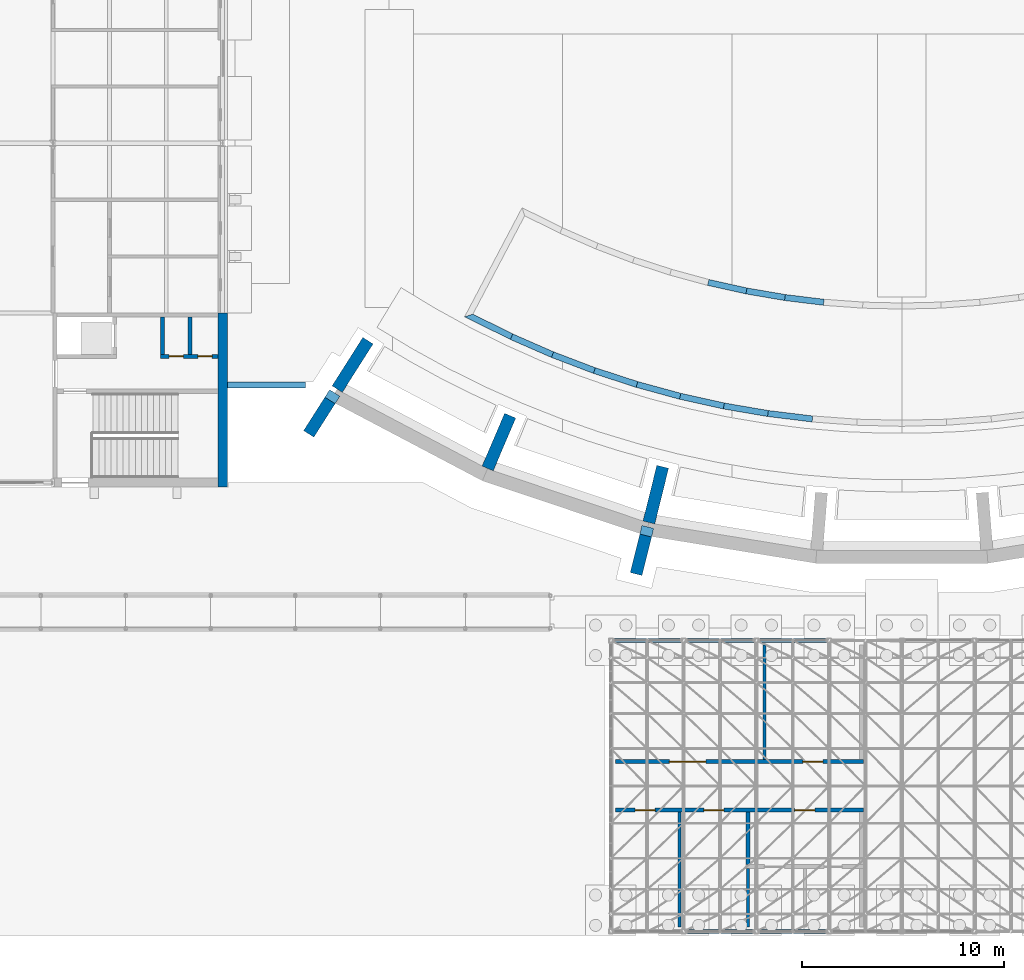
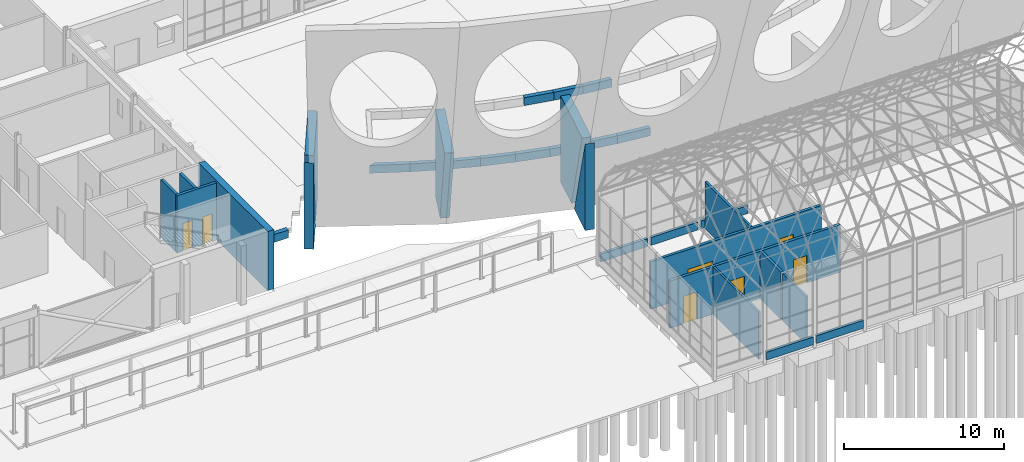
# One storey, part 83 of 116: 32 walls, 7 doors, 7 openings.
"""IFC4 building model written with IfcOpenShell, lengths in metres."""

from ifc_helpers import new_model, si_unit, direction, frame, frame_2d, origin, place, context, subcontext, project, spatial, polyline, rectangle, outline, extrude, material, layer, layer_set, type_object, element, fill, save


model = new_model("IFC4")

# Units and contexts
model_context = context("Model", 3, precision=1e-05, world=origin(), true_north=direction((0.0, 1.0)))
body_context = subcontext(model_context, "Body", "Model", "MODEL_VIEW")
ifc_project = project(units=[si_unit("LENGTHUNIT", "METRE"), si_unit("AREAUNIT", "SQUARE_METRE"), si_unit("VOLUMEUNIT", "CUBIC_METRE"), si_unit("PLANEANGLEUNIT", "RADIAN"), si_unit("MASSUNIT", "GRAM", prefix="KILO")], contexts=[model_context])

# Site, building, storey
site_placement = place(None, origin())
site = spatial("IfcSite", under=ifc_project, at=site_placement, CompositionType="ELEMENT")
building_placement = place(site_placement, origin())
building = spatial("IfcBuilding", under=site, at=building_placement, Name="Ardhachandra Cancer Care Centre", CompositionType="ELEMENT")
storey_placement = place(building_placement, origin())
storey = spatial("IfcBuildingStorey", under=building, at=storey_placement, Name="L00", CompositionType="ELEMENT", Elevation=0.0)

# Walls
ifc_material_1 = material(Name="Concrete M40", Category="concrete")
ifc_layer_1 = layer(ifc_material_1, 0.60009765625)
ifc_layer_set_1 = layer_set([ifc_layer_1], Name="Concrete M40")
wall_type_1 = type_object("IfcWallType", Name="Buttress fin 600", PredefinedType="STANDARD", material=ifc_layer_set_1)
for number, where, z_axis, x_axis, name in (
    (1, (49.942626953125, 33.8388671875, 0.0), (0.0, 0.0, 1.0), (-0.536302707516, -0.84402571401, 0.0), "Buttress fin 1"),
    (2, (65.4326171875, 27.21142578125, 0.0), (0.0, 0.0, 1.0), (-0.240189097283, -0.97072611871, 0.0), "Buttress fin 2"),
):
    element("IfcWall", number, at=place(storey_placement, frame(where, z_axis=z_axis, x_axis=x_axis)), inside=storey, type_object=wall_type_1, Name=name, PredefinedType="STANDARD", context=body_context, shape_type="SweptSolid", body=[
        extrude(outline(polyline([(0.0, 0.0), (2.39990234375, 0.0), (2.39990234375, 6.572509765625), (0.0, 0.0)])), frame((0.0, 0.300048828125, 0.0), z_axis=(0.0, -1.0, 0.0), x_axis=(1.0, 0.0, 0.0)), (0.0, 0.0, 1.0), 0.60009765625),
    ])

# Wall, openings, doors
ifc_material_2 = material(Name="Gypsum board corridor partition on steel studs", Category="steel")
ifc_layer_2 = layer(ifc_material_2, 0.199951171875)
ifc_layer_set_2 = layer_set([ifc_layer_2], Name="Gypsum board corridor partition on steel studs")
wall_type_2 = type_object("IfcWallType", Name="CORRIDOR WALL 200", PredefinedType="PARTITIONING", material=ifc_layer_set_2)
wall_1_placement = place(storey_placement, frame((63.824951171875, 13.199951171875, 0.0), z_axis=(0.0, 0.0, 1.0), x_axis=(1.0, 0.0, 0.0)))
wall_1 = element("IfcWall", 3, at=wall_1_placement, inside=storey, type_object=wall_type_2, Name="R/wall/L00/h0013200_0063825", PredefinedType="PARTITIONING", context=body_context, shape_type="SweptSolid", body=[
    extrude(rectangle(XDim=12.275146484375, YDim=0.199951171875, at=frame_2d((6.1376953125, 0.0))), origin(), (0.0, 0.0, 1.0), 3.60009765625),
])
opening_1_placement = place(wall_1_placement, frame((0.97509765625, 0.0, 0.0)))
opening_1 = element("IfcOpeningElement", 4, at=opening_1_placement, cuts=wall_1, Name="Opening L00-0003", PredefinedType="OPENING", context=body_context, shape_type="SweptSolid", body=[
    extrude(rectangle(XDim=1.0, YDim=2.10009765625, at=frame_2d((0.5, 1.050048828125))), frame((0.0, 0.10986328125, 0.0), z_axis=(0.0, -1.0, 0.0), x_axis=(1.0, 0.0, 0.0)), (0.0, 0.0, 1.0), 0.219970703125),
])
opening_2_placement = place(wall_1_placement, frame((4.375, 0.0, 0.0)))
opening_2 = element("IfcOpeningElement", 5, at=opening_2_placement, cuts=wall_1, Name="Opening L00-0004", PredefinedType="OPENING", context=body_context, shape_type="SweptSolid", body=[
    extrude(rectangle(XDim=1.0, YDim=2.10009765625, at=frame_2d((0.5, 1.050048828125))), frame((0.0, 0.10986328125, 0.0), z_axis=(0.0, -1.0, 0.0), x_axis=(1.0, 0.0, 0.0)), (0.0, 0.0, 1.0), 0.219970703125),
])
opening_3_placement = place(wall_1_placement, frame((8.875, 0.0, 0.0)))
opening_3 = element("IfcOpeningElement", 6, at=opening_3_placement, cuts=wall_1, Name="Opening L00-0005", PredefinedType="OPENING", context=body_context, shape_type="SweptSolid", body=[
    extrude(rectangle(XDim=1.0, YDim=2.10009765625, at=frame_2d((0.5, 1.050048828125))), frame((0.0, 0.10986328125, 0.0), z_axis=(0.0, -1.0, 0.0), x_axis=(1.0, 0.0, 0.0)), (0.0, 0.0, 1.0), 0.219970703125),
])
ifc_material_3 = material(Name="Timber fire door with smoke seals", Category="wood")
door_type_1 = type_object("IfcDoorType", Name="FIRE DOOR SINGLE 1000x2100 FD30S", OperationType="NOTDEFINED", PredefinedType="DOOR", material=ifc_material_3)
door_1_placement = place(opening_1_placement, origin())
door_1 = element("IfcDoor", 7, at=door_1_placement, inside=storey, type_object=door_type_1, Name="Door L00-0003", OperationType="SINGLE_SWING_LEFT", OverallHeight=2.10009765625, OverallWidth=1.0, PredefinedType="DOOR", context=body_context, shape_type="SweptSolid", body=[
    extrude(rectangle(XDim=1.0, YDim=2.10009765625, at=frame_2d((0.5, 1.050048828125))), frame((0.0, 0.02490234375, 0.0), z_axis=(0.0, -1.0, 0.0), x_axis=(1.0, 0.0, 0.0)), (0.0, 0.0, 1.0), 0.050048828125),
])
fill(opening_1, door_1)
door_2_placement = place(opening_2_placement, origin())
door_2 = element("IfcDoor", 8, at=door_2_placement, inside=storey, type_object=door_type_1, Name="Door L00-0004", OperationType="SINGLE_SWING_LEFT", OverallHeight=2.10009765625, OverallWidth=1.0, PredefinedType="DOOR", context=body_context, shape_type="SweptSolid", body=[
    extrude(rectangle(XDim=1.0, YDim=2.10009765625, at=frame_2d((0.5, 1.050048828125))), frame((0.0, 0.02490234375, 0.0), z_axis=(0.0, -1.0, 0.0), x_axis=(1.0, 0.0, 0.0)), (0.0, 0.0, 1.0), 0.050048828125),
])
fill(opening_2, door_2)
door_3_placement = place(opening_3_placement, origin())
door_3 = element("IfcDoor", 9, at=door_3_placement, inside=storey, type_object=door_type_1, Name="Door L00-0005", OperationType="SINGLE_SWING_LEFT", OverallHeight=2.10009765625, OverallWidth=1.0, PredefinedType="DOOR", context=body_context, shape_type="SweptSolid", body=[
    extrude(rectangle(XDim=1.0, YDim=2.10009765625, at=frame_2d((0.5, 1.050048828125))), frame((0.0, 0.02490234375, 0.0), z_axis=(0.0, -1.0, 0.0), x_axis=(1.0, 0.0, 0.0)), (0.0, 0.0, 1.0), 0.050048828125),
])
fill(opening_3, door_3)

wall_2_placement = place(storey_placement, frame((63.824951171875, 15.60009765625, 0.0), z_axis=(0.0, 0.0, 1.0), x_axis=(1.0, 0.0, 0.0)))
wall_2 = element("IfcWall", 10, at=wall_2_placement, inside=storey, type_object=wall_type_2, Name="R/wall/L00/h0015600_0063825", PredefinedType="PARTITIONING", context=body_context, shape_type="SweptSolid", body=[
    extrude(rectangle(XDim=12.275146484375, YDim=0.199951171875, at=frame_2d((6.1376953125, 0.0))), origin(), (0.0, 0.0, 1.0), 3.60009765625),
])
opening_4_placement = place(wall_2_placement, frame((2.675048828125, 0.0, 0.0)))
opening_4 = element("IfcOpeningElement", 11, at=opening_4_placement, cuts=wall_2, Name="Opening L00-0006", PredefinedType="OPENING", context=body_context, shape_type="SweptSolid", body=[
    extrude(rectangle(XDim=1.800048828125, YDim=2.10009765625, at=frame_2d((0.89990234375, 1.050048828125))), frame((0.0, 0.10986328125, 0.0), z_axis=(0.0, -1.0, 0.0), x_axis=(1.0, 0.0, 0.0)), (0.0, 0.0, 1.0), 0.219970703125),
])
opening_5_placement = place(wall_2_placement, frame((9.27490234375, 0.0, 0.0)))
opening_5 = element("IfcOpeningElement", 12, at=opening_5_placement, cuts=wall_2, Name="Opening L00-0007", PredefinedType="OPENING", context=body_context, shape_type="SweptSolid", body=[
    extrude(rectangle(XDim=1.0, YDim=2.10009765625, at=frame_2d((0.5, 1.050048828125))), frame((0.0, 0.10986328125, 0.0), z_axis=(0.0, -1.0, 0.0), x_axis=(1.0, 0.0, 0.0)), (0.0, 0.0, 1.0), 0.219970703125),
])
ifc_material_4 = material(Name="Timber fire door with smoke seals", Category="wood")
door_type_2 = type_object("IfcDoorType", Name="FIRE DOOR DOUBLE 1800x2100 FD30S", OperationType="NOTDEFINED", PredefinedType="DOOR", material=ifc_material_4)
door_4_placement = place(opening_4_placement, origin())
door_4 = element("IfcDoor", 13, at=door_4_placement, inside=storey, type_object=door_type_2, Name="Door L00-0006", OperationType="DOUBLE_DOOR_SINGLE_SWING", OverallHeight=2.10009765625, OverallWidth=1.800048828125, PredefinedType="DOOR", context=body_context, shape_type="SweptSolid", body=[
    extrude(rectangle(XDim=1.800048828125, YDim=2.10009765625, at=frame_2d((0.89990234375, 1.050048828125))), frame((0.0, 0.02490234375, 0.0), z_axis=(0.0, -1.0, 0.0), x_axis=(1.0, 0.0, 0.0)), (0.0, 0.0, 1.0), 0.050048828125),
])
fill(opening_4, door_4)
door_5_placement = place(opening_5_placement, origin())
door_5 = element("IfcDoor", 14, at=door_5_placement, inside=storey, type_object=door_type_1, Name="Door L00-0007", OperationType="SINGLE_SWING_RIGHT", OverallHeight=2.10009765625, OverallWidth=1.0, PredefinedType="DOOR", context=body_context, shape_type="SweptSolid", body=[
    extrude(rectangle(XDim=1.0, YDim=2.10009765625, at=frame_2d((0.5, 1.050048828125))), frame((0.0, 0.02490234375, 0.0), z_axis=(0.0, -1.0, 0.0), x_axis=(1.0, 0.0, 0.0)), (0.0, 0.0, 1.0), 0.050048828125),
])
fill(opening_5, door_5)

# Walls
wall_3_placement = place(storey_placement, frame((70.39990234375, 10.5, 0.0), z_axis=(0.0, 0.0, 1.0), x_axis=(0.0, 1.0, 0.0)))
element("IfcWall", 15, at=wall_3_placement, inside=storey, type_object=wall_type_2, Name="R/wall/L00/v0070400_0010500", PredefinedType="PARTITIONING", context=body_context, shape_type="SweptSolid", body=[
    extrude(rectangle(XDim=2.60009765625, YDim=0.199951171875, at=frame_2d((1.300048828125, 0.0))), origin(), (0.0, 0.0, 1.0), 3.60009765625),
])
ifc_material_5 = material(Name="Concrete M40", Category="concrete")
ifc_layer_3 = layer(ifc_material_5, 0.449951171875)
ifc_layer_set_3 = layer_set([ifc_layer_3], Name="Concrete M40")
wall_type_3 = type_object("IfcWallType", Name="Core exterior wall RC 450", PredefinedType="SOLIDWALL", material=ifc_layer_set_3)
wall_4_placement = place(storey_placement, frame((44.39990234375, 29.175048828125, 0.0), z_axis=(0.0, 0.0, 1.0), x_axis=(0.0, 1.0, 0.0)))
element("IfcWall", 16, at=wall_4_placement, inside=storey, type_object=wall_type_3, Name="Core wall K2 FAR", PredefinedType="SOLIDWALL", context=body_context, shape_type="SweptSolid", body=[
    extrude(rectangle(XDim=8.625, YDim=0.449951171875, at=frame_2d((4.3125, 0.0))), origin(), (0.0, 0.0, 1.0), 4.5),
])

# Wall, openings, doors
ifc_material_6 = material(Name="Concrete M40", Category="concrete")
ifc_layer_4 = layer(ifc_material_6, 0.199951171875)
ifc_layer_set_4 = layer_set([ifc_layer_4], Name="Concrete M40")
wall_type_4 = type_object("IfcWallType", Name="Core wall RC 200", PredefinedType="SOLIDWALL", material=ifc_layer_set_4)
wall_5_placement = place(storey_placement, frame((41.324951171875, 35.64990234375, 0.0), z_axis=(0.0, 0.0, 1.0), x_axis=(1.0, 0.0, 0.0)))
wall_5 = element("IfcWall", 17, at=wall_5_placement, inside=storey, type_object=wall_type_4, Name="Core wall K2 P2B", PredefinedType="SOLIDWALL", context=body_context, shape_type="SweptSolid", body=[
    extrude(rectangle(XDim=2.85009765625, YDim=0.199951171875, at=frame_2d((1.425048828125, 0.0))), origin(), (0.0, 0.0, 1.0), 4.35009765625),
])
opening_6_placement = place(wall_5_placement, frame((0.425048828125, 0.0, 0.0)))
opening_6 = element("IfcOpeningElement", 18, at=opening_6_placement, cuts=wall_5, Name="Opening L00-K02-4", PredefinedType="OPENING", context=body_context, shape_type="SweptSolid", body=[
    extrude(rectangle(XDim=0.699951171875, YDim=2.10009765625, at=frame_2d((0.35009765625, 1.050048828125))), frame((0.0, 0.10986328125, 0.0), z_axis=(0.0, -1.0, 0.0), x_axis=(1.0, 0.0, 0.0)), (0.0, 0.0, 1.0), 0.219970703125),
])
opening_7_placement = place(wall_5_placement, frame((1.85009765625, 0.0, 0.0)))
opening_7 = element("IfcOpeningElement", 19, at=opening_7_placement, cuts=wall_5, Name="Opening L00-K02-5", PredefinedType="OPENING", context=body_context, shape_type="SweptSolid", body=[
    extrude(rectangle(XDim=0.699951171875, YDim=2.10009765625, at=frame_2d((0.35009765625, 1.050048828125))), frame((0.0, 0.10986328125, 0.0), z_axis=(0.0, -1.0, 0.0), x_axis=(1.0, 0.0, 0.0)), (0.0, 0.0, 1.0), 0.219970703125),
])
ifc_material_7 = material(Name="Steel door set", Category="steel")
door_type_3 = type_object("IfcDoorType", Name="Riser access door 700x2100 FD120S", OperationType="NOTDEFINED", PredefinedType="DOOR", material=ifc_material_7)
door_6_placement = place(opening_6_placement, origin())
door_6 = element("IfcDoor", 20, at=door_6_placement, inside=storey, type_object=door_type_3, Name="Riser access door", OperationType="SINGLE_SWING_RIGHT", OverallHeight=2.10009765625, OverallWidth=0.699951171875, PredefinedType="DOOR", context=body_context, shape_type="SweptSolid", body=[
    extrude(rectangle(XDim=0.699951171875, YDim=2.10009765625, at=frame_2d((0.35009765625, 1.050048828125))), frame((0.0, 0.02490234375, 0.0), z_axis=(0.0, -1.0, 0.0), x_axis=(1.0, 0.0, 0.0)), (0.0, 0.0, 1.0), 0.050048828125),
])
fill(opening_6, door_6)
door_7_placement = place(opening_7_placement, origin())
door_7 = element("IfcDoor", 21, at=door_7_placement, inside=storey, type_object=door_type_3, Name="Riser access door", OperationType="SINGLE_SWING_LEFT", OverallHeight=2.10009765625, OverallWidth=0.699951171875, PredefinedType="DOOR", context=body_context, shape_type="SweptSolid", body=[
    extrude(rectangle(XDim=0.699951171875, YDim=2.10009765625, at=frame_2d((0.35009765625, 1.050048828125))), frame((0.0, 0.02490234375, 0.0), z_axis=(0.0, -1.0, 0.0), x_axis=(1.0, 0.0, 0.0)), (0.0, 0.0, 1.0), 0.050048828125),
])
fill(opening_7, door_7)

# Walls
for number, where, z_axis, x_axis, name in (
    (22, (41.425048828125, 35.75, 0.0), (0.0, 0.0, 1.0), (0.0, 1.0, 0.0), "Core wall K2 W2"),
    (23, (42.77490234375, 35.75, 0.0), (0.0, 0.0, 1.0), (0.0, 1.0, 0.0), "Core wall K2 DIV"),
):
    element("IfcWall", number, at=place(storey_placement, frame(where, z_axis=z_axis, x_axis=x_axis)), inside=storey, type_object=wall_type_4, Name=name, PredefinedType="SOLIDWALL", context=body_context, shape_type="SweptSolid", body=[
        extrude(rectangle(XDim=1.85009765625, YDim=0.199951171875, at=frame_2d((0.925048828125, 0.0))), origin(), (0.0, 0.0, 1.0), 4.35009765625),
    ])
ifc_material_8 = material(Name="Concrete M40", Category="concrete")
ifc_layer_5 = layer(ifc_material_8, 0.60009765625)
ifc_layer_set_5 = layer_set([ifc_layer_5], Name="Concrete M40")
wall_type_5 = type_object("IfcWallType", Name="Counterfort rib 600", PredefinedType="STANDARD", material=ifc_layer_set_5)
wall_6_placement = place(storey_placement, frame((48.985107421875, 32.331787109375, 0.0), z_axis=(0.0, 0.0, 1.0), x_axis=(0.536259792521, 0.844052981113, 0.0)))
element("IfcWall", 24, at=wall_6_placement, inside=storey, type_object=wall_type_5, Name="Counterfort rib 1", PredefinedType="STANDARD", context=body_context, shape_type="SweptSolid", body=[
    extrude(outline(polyline([(2.45068359375, 0.0), (4.8505859375, 0.0), (4.8505859375, 6.711181640625), (0.0, 6.711181640625), (2.45068359375, 0.0)])), frame((0.0, 0.300048828125, 0.0), z_axis=(0.0, -1.0, 0.0), x_axis=(1.0, 0.0, 0.0)), (0.0, 0.0, 1.0), 0.60009765625),
])
wall_7_placement = place(storey_placement, frame((56.728271484375, 28.282958984375, 0.0), z_axis=(0.0, 0.0, 1.0), x_axis=(0.39337528095, 0.919377989914, 0.0)))
element("IfcWall", 25, at=wall_7_placement, inside=storey, type_object=wall_type_5, Name="Counterfort rib 2", PredefinedType="STANDARD", context=body_context, shape_type="SweptSolid", body=[
    extrude(outline(polyline([(2.421142578125, 0.0), (4.8212890625, 0.0), (4.8212890625, 6.630615234375), (0.0, 6.630615234375), (2.421142578125, 0.0)])), frame((0.0, 0.300048828125, 0.0), z_axis=(0.0, -1.0, 0.0), x_axis=(1.0, 0.0, 0.0)), (0.0, 0.0, 1.0), 0.60009765625),
])
wall_8_placement = place(storey_placement, frame((65.015625, 25.52587890625, 0.0), z_axis=(0.0, 0.0, 1.0), x_axis=(0.240213793432, 0.97072000775, 0.0)))
element("IfcWall", 26, at=wall_8_placement, inside=storey, type_object=wall_type_5, Name="Counterfort rib 3", PredefinedType="STANDARD", context=body_context, shape_type="SweptSolid", body=[
    extrude(outline(polyline([(2.401123046875, 0.0), (4.80126953125, 0.0), (4.80126953125, 6.57568359375), (0.0, 6.57568359375), (2.401123046875, 0.0)])), frame((0.0, 0.300048828125, 0.0), z_axis=(0.0, -1.0, 0.0), x_axis=(1.0, 0.0, 0.0)), (0.0, 0.0, 1.0), 0.60009765625),
])
ifc_material_9 = material(Name="Concrete M40", Category="concrete")
ifc_layer_6 = layer(ifc_material_9, 0.300048828125)
ifc_layer_set_6 = layer_set([ifc_layer_6], Name="Concrete M40")
wall_type_6 = type_object("IfcWallType", Name="Court edge kerb wall 300", PredefinedType="SOLIDWALL", material=ifc_layer_set_6)
wall_9_placement = place(storey_placement, frame((44.625, 34.229736328125, -0.449951171875), z_axis=(0.0, 0.0, 1.0), x_axis=(1.0, 0.0, 0.0)))
element("IfcWall", 27, at=wall_9_placement, inside=storey, type_object=wall_type_6, Name="Court edge kerb west", PredefinedType="SOLIDWALL", context=body_context, shape_type="SweptSolid", body=[
    extrude(rectangle(XDim=3.87646484375, YDim=0.300048828125, at=frame_2d((1.938232421875, 0.0))), origin(), (0.0, 0.0, 1.0), 0.599853515625),
])
ifc_material_10 = material(Name="Gypsum board partition on steel studs", Category="steel")
ifc_layer_7 = layer(ifc_material_10, 0.14990234375)
ifc_layer_set_7 = layer_set([ifc_layer_7], Name="Gypsum board partition on steel studs")
wall_type_7 = type_object("IfcWallType", Name="PARTITION 150", PredefinedType="PARTITIONING", material=ifc_layer_set_7)
for number, where, z_axis, x_axis, name in (
    (28, (67.0, 7.425048828125, 0.0), (0.0, 0.0, 1.0), (0.0, 1.0, 0.0), "R/wall/L00/v0067000_0007425"),
    (29, (71.199951171875, 15.699951171875, 0.0), (0.0, 0.0, 1.0), (0.0, 1.0, 0.0), "R/wall/L00/v0071200_0015700"),
):
    element("IfcWall", number, at=place(storey_placement, frame(where, z_axis=z_axis, x_axis=x_axis)), inside=storey, type_object=wall_type_7, Name=name, PredefinedType="PARTITIONING", context=body_context, shape_type="SweptSolid", body=[
        extrude(rectangle(XDim=5.675048828125, YDim=0.14990234375, at=frame_2d((2.83740234375, 0.0))), origin(), (0.0, 0.0, 1.0), 3.60009765625),
    ])
ifc_material_11 = material(Name="Stone masonry (sandstone, cement mortar)", Category="masonry")
ifc_layer_8 = layer(ifc_material_11, 0.199951171875)
ifc_layer_set_8 = layer_set([ifc_layer_8], Name="Stone masonry (sandstone, cement mortar)")
wall_type_8 = type_object("IfcWallType", Name="Pavilion low wall 200", PredefinedType="SOLIDWALL", material=ifc_layer_set_8)
wall_10_placement = place(storey_placement, frame((67.31494140625, 7.199951171875, 0.0), z_axis=(0.0, 0.0, 1.0), x_axis=(1.0, 0.0, 0.0)))
element("IfcWall", 30, at=wall_10_placement, inside=storey, type_object=wall_type_8, Name="Pavilion plinth wall s 2", PredefinedType="SOLIDWALL", context=body_context, shape_type="SweptSolid", body=[
    extrude(rectangle(XDim=3.3701171875, YDim=0.199951171875, at=frame_2d((1.68505859375, 0.0))), origin(), (0.0, 0.0, 1.0), 0.60009765625),
])
for number, where, z_axis, x_axis, name in (
    (31, (70.9150390625, 7.199951171875, 0.0), (0.0, 0.0, 1.0), (1.0, 0.0, 0.0), "Pavilion plinth wall s 3"),
    (32, (63.715087890625, 21.60009765625, 0.0), (0.0, 0.0, 1.0), (1.0, 0.0, 0.0), "Pavilion plinth wall n 1"),
):
    element("IfcWall", number, at=place(storey_placement, frame(where, z_axis=z_axis, x_axis=x_axis)), inside=storey, type_object=wall_type_8, Name=name, PredefinedType="SOLIDWALL", context=body_context, shape_type="SweptSolid", body=[
        extrude(rectangle(XDim=3.369873046875, YDim=0.199951171875, at=frame_2d((1.68505859375, 0.0))), origin(), (0.0, 0.0, 1.0), 0.60009765625),
    ])
wall_11_placement = place(storey_placement, frame((67.31494140625, 21.60009765625, 0.0), z_axis=(0.0, 0.0, 1.0), x_axis=(1.0, 0.0, 0.0)))
element("IfcWall", 33, at=wall_11_placement, inside=storey, type_object=wall_type_8, Name="Pavilion plinth wall n 2", PredefinedType="SOLIDWALL", context=body_context, shape_type="SweptSolid", body=[
    extrude(rectangle(XDim=3.3701171875, YDim=0.199951171875, at=frame_2d((1.68505859375, 0.0))), origin(), (0.0, 0.0, 1.0), 0.60009765625),
])
wall_12_placement = place(storey_placement, frame((70.9150390625, 21.60009765625, 0.0), z_axis=(0.0, 0.0, 1.0), x_axis=(1.0, 0.0, 0.0)))
element("IfcWall", 34, at=wall_12_placement, inside=storey, type_object=wall_type_8, Name="Pavilion plinth wall n 3", PredefinedType="SOLIDWALL", context=body_context, shape_type="SweptSolid", body=[
    extrude(rectangle(XDim=3.369873046875, YDim=0.199951171875, at=frame_2d((1.68505859375, 0.0))), origin(), (0.0, 0.0, 1.0), 0.60009765625),
])
ifc_material_12 = material(Name="Granite", Category="masonry")
ifc_layer_9 = layer(ifc_material_12, 0.300048828125)
ifc_layer_set_9 = layer_set([ifc_layer_9], Name="Granite")
wall_type_9 = type_object("IfcWallType", Name="Pool kerb 300 granite", PredefinedType="SOLIDWALL", material=ifc_layer_set_9)
wall_13_placement = place(storey_placement, frame((0.0, 0.0, -0.449951171875)))
element("IfcWall", 35, at=wall_13_placement, inside=storey, type_object=wall_type_9, Name="Pool kerb 1", PredefinedType="SOLIDWALL", context=body_context, shape_type="SweptSolid", body=[
    extrude(outline(polyline([(56.776611328125, 37.74072265625), (58.75390625, 36.7587890625), (58.627197265625, 36.487060546875), (56.367919921875, 37.608642578125), (56.776611328125, 37.74072265625)])), origin(), (0.0, 0.0, 1.0), 0.599853515625),
])
wall_14_placement = place(storey_placement, frame((0.0, 0.0, -0.449951171875)))
element("IfcWall", 36, at=wall_14_placement, inside=storey, type_object=wall_type_9, Name="Pool kerb 2", PredefinedType="SOLIDWALL", context=body_context, shape_type="SweptSolid", body=[
    extrude(outline(polyline([(58.75390625, 36.7587890625), (60.776611328125, 35.8740234375), (60.6630859375, 35.59619140625), (58.627197265625, 36.487060546875), (58.75390625, 36.7587890625)])), origin(), (0.0, 0.0, 1.0), 0.599853515625),
])
wall_15_placement = place(storey_placement, frame((0.0, 0.0, -0.449951171875)))
element("IfcWall", 37, at=wall_15_placement, inside=storey, type_object=wall_type_9, Name="Pool kerb 3", PredefinedType="SOLIDWALL", context=body_context, shape_type="SweptSolid", body=[
    extrude(outline(polyline([(60.776611328125, 35.8740234375), (62.83984375, 35.08837890625), (62.739990234375, 34.805419921875), (60.6630859375, 35.59619140625), (60.776611328125, 35.8740234375)])), origin(), (0.0, 0.0, 1.0), 0.599853515625),
])
wall_16_placement = place(storey_placement, frame((0.0, 0.0, -0.449951171875)))
element("IfcWall", 38, at=wall_16_placement, inside=storey, type_object=wall_type_9, Name="Pool kerb 4", PredefinedType="SOLIDWALL", context=body_context, shape_type="SweptSolid", body=[
    extrude(outline(polyline([(62.83984375, 35.08837890625), (64.938720703125, 34.403564453125), (64.8525390625, 34.1162109375), (62.739990234375, 34.805419921875), (62.83984375, 35.08837890625)])), origin(), (0.0, 0.0, 1.0), 0.599853515625),
])
wall_17_placement = place(storey_placement, frame((0.0, 0.0, -0.449951171875)))
element("IfcWall", 39, at=wall_17_placement, inside=storey, type_object=wall_type_9, Name="Pool kerb 5", PredefinedType="SOLIDWALL", context=body_context, shape_type="SweptSolid", body=[
    extrude(outline(polyline([(64.938720703125, 34.403564453125), (67.068359375, 33.821533203125), (66.99609375, 33.5302734375), (64.8525390625, 34.1162109375), (64.938720703125, 34.403564453125)])), origin(), (0.0, 0.0, 1.0), 0.599853515625),
])
wall_18_placement = place(storey_placement, frame((0.0, 0.0, -0.449951171875)))
element("IfcWall", 40, at=wall_18_placement, inside=storey, type_object=wall_type_9, Name="Pool kerb 6", PredefinedType="SOLIDWALL", context=body_context, shape_type="SweptSolid", body=[
    extrude(outline(polyline([(67.068359375, 33.821533203125), (69.2236328125, 33.343505859375), (69.165771484375, 33.048828125), (66.99609375, 33.5302734375), (67.068359375, 33.821533203125)])), origin(), (0.0, 0.0, 1.0), 0.599853515625),
])
wall_19_placement = place(storey_placement, frame((0.0, 0.0, -0.449951171875)))
element("IfcWall", 41, at=wall_19_placement, inside=storey, type_object=wall_type_9, Name="Pool kerb 7", PredefinedType="SOLIDWALL", context=body_context, shape_type="SweptSolid", body=[
    extrude(outline(polyline([(69.2236328125, 33.343505859375), (71.399658203125, 32.97021484375), (71.35595703125, 32.67333984375), (69.165771484375, 33.048828125), (69.2236328125, 33.343505859375)])), origin(), (0.0, 0.0, 1.0), 0.599853515625),
])
wall_20_placement = place(storey_placement, frame((0.0, 0.0, -0.449951171875)))
element("IfcWall", 42, at=wall_20_placement, inside=storey, type_object=wall_type_9, Name="Pool kerb 8", PredefinedType="SOLIDWALL", context=body_context, shape_type="SweptSolid", body=[
    extrude(outline(polyline([(71.399658203125, 32.97021484375), (73.591064453125, 32.703125), (73.56201171875, 32.404541015625), (71.35595703125, 32.67333984375), (71.399658203125, 32.97021484375)])), origin(), (0.0, 0.0, 1.0), 0.599853515625),
])
wall_21_placement = place(storey_placement, frame((0.0, 0.0, -0.449951171875)))
element("IfcWall", 43, at=wall_21_placement, inside=storey, type_object=wall_type_9, Name="Pool kerb 34", PredefinedType="SOLIDWALL", context=body_context, shape_type="SweptSolid", body=[
    extrude(outline(polyline([(74.123779296875, 38.17724609375), (72.197265625, 38.412109375), (72.24072265625, 38.708984375), (74.153076171875, 38.47607421875), (74.123779296875, 38.17724609375)])), origin(), (0.0, 0.0, 1.0), 0.599853515625),
])
wall_22_placement = place(storey_placement, frame((0.0, 0.0, -0.449951171875)))
element("IfcWall", 44, at=wall_22_placement, inside=storey, type_object=wall_type_9, Name="Pool kerb 35", PredefinedType="SOLIDWALL", context=body_context, shape_type="SweptSolid", body=[
    extrude(outline(polyline([(72.197265625, 38.412109375), (70.2841796875, 38.740234375), (70.342041015625, 39.03466796875), (72.24072265625, 38.708984375), (72.197265625, 38.412109375)])), origin(), (0.0, 0.0, 1.0), 0.599853515625),
])
wall_23_placement = place(storey_placement, frame((0.0, 0.0, -0.449951171875)))
element("IfcWall", 45, at=wall_23_placement, inside=storey, type_object=wall_type_9, Name="Pool kerb 36", PredefinedType="SOLIDWALL", context=body_context, shape_type="SweptSolid", body=[
    extrude(outline(polyline([(70.2841796875, 38.740234375), (68.389404296875, 39.16064453125), (68.46142578125, 39.451904296875), (70.342041015625, 39.03466796875), (70.2841796875, 38.740234375)])), origin(), (0.0, 0.0, 1.0), 0.599853515625),
])
ifc_material_13 = material(Name="Tiled gypsum board partition on steel studs", Category="steel")
ifc_layer_10 = layer(ifc_material_13, 0.14990234375)
ifc_layer_set_10 = layer_set([ifc_layer_10], Name="Tiled gypsum board partition on steel studs")
wall_type_10 = type_object("IfcWallType", Name="WET ROOM PARTITION 150", PredefinedType="PARTITIONING", material=ifc_layer_set_10)
wall_24_placement = place(storey_placement, frame((70.39990234375, 7.425048828125, 0.0), z_axis=(0.0, 0.0, 1.0), x_axis=(0.0, 1.0, 0.0)))
element("IfcWall", 46, at=wall_24_placement, inside=storey, type_object=wall_type_10, Name="R/wall/L00/v0070400_0007425", PredefinedType="PARTITIONING", context=body_context, shape_type="SweptSolid", body=[
    extrude(rectangle(XDim=2.875, YDim=0.14990234375, at=frame_2d((1.4375, 0.0))), origin(), (0.0, 0.0, 1.0), 3.60009765625),
])

save(model, "model.ifc")
